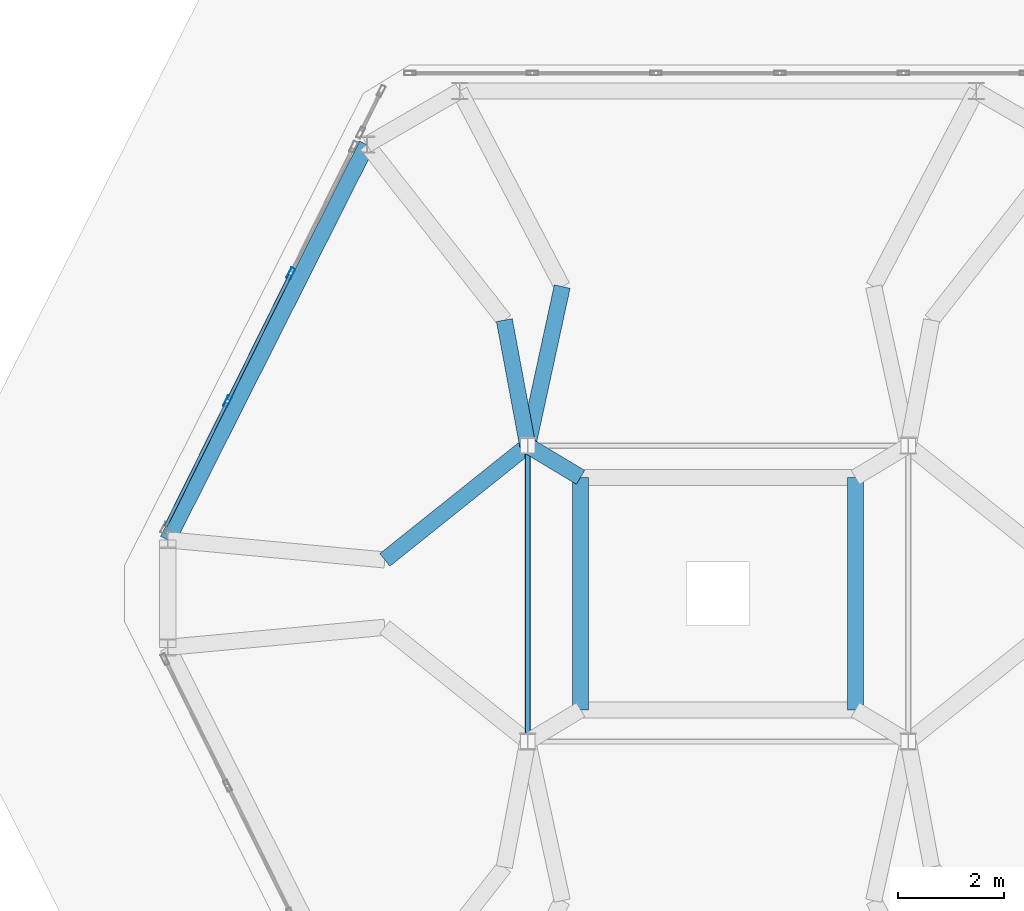
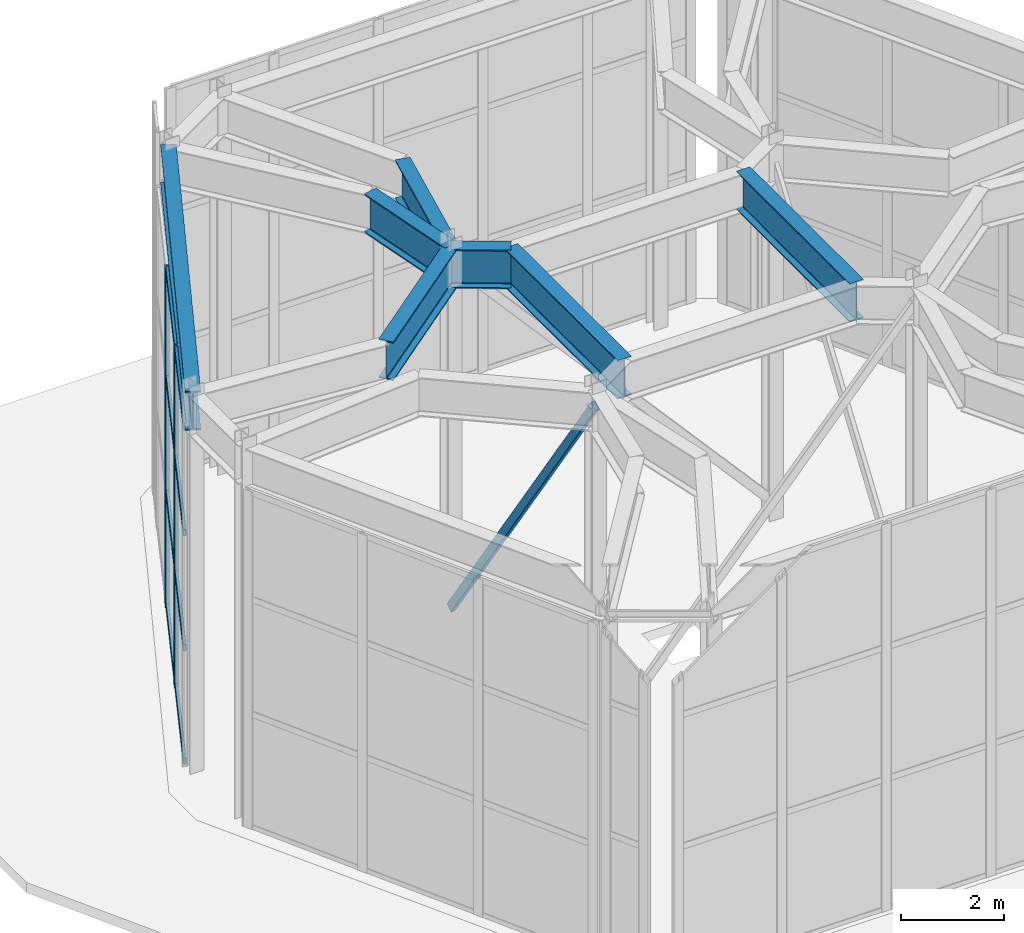
# One storey, part 4 of 9: 11 members, 7 beams, 1 element without a shape of its own.
"""IFC4 building model written with IfcOpenShell, lengths in metres."""

from ifc_helpers import new_model, si_unit, direction, frame, origin, origin_2d, place, context, subcontext, project, spatial, hollow_rectangle, i_section, extrude, material, layer, layer_set, material_profile, profile_set, type_object, element, aggregate, save


model = new_model("IFC4")

# Units and contexts
model_context = context("Model", 3, precision=1e-05, world=origin(), true_north=direction((0.0, 1.0)))
body_context = subcontext(model_context, "Body", "Model", "MODEL_VIEW")
ifc_project = project(units=[si_unit("LENGTHUNIT", "METRE"), si_unit("AREAUNIT", "SQUARE_METRE"), si_unit("VOLUMEUNIT", "CUBIC_METRE"), si_unit("PLANEANGLEUNIT", "RADIAN"), si_unit("MASSUNIT", "GRAM", prefix="KILO")], contexts=[model_context])

# Site, building, storey
site_placement = place(None, origin())
site = spatial("IfcSite", under=ifc_project, at=site_placement, CompositionType="ELEMENT")
building_placement = place(site_placement, origin())
building = spatial("IfcBuilding", under=site, at=building_placement, Name="Cinnabar Lancet Tower", CompositionType="ELEMENT")
storey_placement = place(building_placement, frame((0.0, 0.0, 323.85009765625)))
storey = spatial("IfcBuildingStorey", under=building, at=storey_placement, Name="L82", CompositionType="ELEMENT", Elevation=323.85009765625)

# Curtain wall, members
ifc_material_1 = material(Name="Thermally broken bronze-anodized aluminium and low-E glass", Category="aluminium")
ifc_layer = layer(ifc_material_1, 0.179931640625)
ifc_layer_set = layer_set([ifc_layer], Name="Thermally broken bronze-anodized aluminium and low-E glass")
curtain_wall_type = type_object("IfcCurtainWallType", Name="ENV-CW-SYS-06", PredefinedType="NOTDEFINED", material=ifc_layer_set)
curtain_wall_placement = place(storey_placement, origin())
curtain_wall = element("IfcCurtainWall", 1, at=curtain_wall_placement, inside=storey, type_object=curtain_wall_type, Name="L82 Faceted Lancet Crown Curtain Wall 15", PredefinedType="NOTDEFINED")
ifc_material_2 = material(Name="Anodized architectural aluminium 6063-T6", Category="aluminium")
ifc_material_profile_1 = material_profile(ifc_material_2, hollow_rectangle(XDim=0.0849609375, YDim=0.219970703125, WallThickness=0.0048828125, InnerFilletRadius=0.00244140625, OuterFilletRadius=0.007568359375, at=origin_2d()), Name="CW-MUL 220x85x5")
ifc_profile_set_1 = profile_set([ifc_material_profile_1], Name="Anodized architectural aluminium 6063-T6")
member_type_1 = type_object("IfcMemberType", Name="ENV-CW-MUL-220", PredefinedType="MULLION", material=ifc_profile_set_1)
member_1_placement = place(storey_placement, frame((24.3193359375, 31.858642578125, 0.0), z_axis=(0.0, 0.0, 1.0), x_axis=(0.896196734695, -0.443656863715, 0.0)))
member_1 = element("IfcMember", 2, at=member_1_placement, type_object=member_type_1, Name="CW-06 mullion 2", PredefinedType="MULLION", context=body_context, shape_type="SweptSolid", body=[
    extrude(hollow_rectangle(XDim=0.0849609375, YDim=0.219970703125, WallThickness=0.0048828125, InnerFilletRadius=0.00244140625, OuterFilletRadius=0.007568359375, at=origin_2d()), origin(), (0.0, 0.0, 1.0), 7.996826171875),
])
member_2_placement = place(storey_placement, frame((23.12060546875, 29.437255859375, 0.0), z_axis=(0.0, 0.0, 1.0), x_axis=(0.896196734695, -0.443656863715, 0.0)))
member_2 = element("IfcMember", 3, at=member_2_placement, type_object=member_type_1, Name="CW-06 mullion 3", PredefinedType="MULLION", context=body_context, shape_type="SweptSolid", body=[
    extrude(hollow_rectangle(XDim=0.0849609375, YDim=0.219970703125, WallThickness=0.0048828125, InnerFilletRadius=0.00244140625, OuterFilletRadius=0.007568359375, at=origin_2d()), origin(), (0.0, 0.0, 1.0), 7.996826171875),
])
ifc_material_3 = material(Name="Anodized architectural aluminium 6063-T6", Category="aluminium")
ifc_material_profile_2 = material_profile(ifc_material_3, hollow_rectangle(XDim=0.06494140625, YDim=0.14990234375, WallThickness=0.00390625, InnerFilletRadius=0.001953125, OuterFilletRadius=0.006103515625, at=origin_2d()), Name="CW-TRN 150x65x4")
ifc_profile_set_2 = profile_set([ifc_material_profile_2], Name="Anodized architectural aluminium 6063-T6")
member_type_2 = type_object("IfcMemberType", Name="ENV-CW-TRN-160", PredefinedType="USERDEFINED", material=ifc_profile_set_2)
member_3_placement = place(storey_placement, frame((24.305908203125, 31.831787109375, 0.02978515625), z_axis=(-0.443587297772, -0.89623116954, 0.0), x_axis=(0.89623116954, -0.443587297772, 0.0)))
member_3 = element("IfcMember", 4, at=member_3_placement, type_object=member_type_2, Name="CW-06 transom 2.1", ObjectType="TRANSOM", PredefinedType="USERDEFINED", context=body_context, shape_type="SweptSolid", body=[
    extrude(hollow_rectangle(XDim=0.06494140625, YDim=0.14990234375, WallThickness=0.00390625, InnerFilletRadius=0.001953125, OuterFilletRadius=0.006103515625, at=origin_2d()), origin(), (0.0, 0.0, 1.0), 2.641845703125),
])
member_4_placement = place(storey_placement, frame((24.305908203125, 31.831787109375, 2.718994140625), z_axis=(-0.443587297772, -0.89623116954, 0.0), x_axis=(0.89623116954, -0.443587297772, 0.0)))
member_4 = element("IfcMember", 5, at=member_4_placement, type_object=member_type_2, Name="CW-06 transom 2.2", ObjectType="TRANSOM", PredefinedType="USERDEFINED", context=body_context, shape_type="SweptSolid", body=[
    extrude(hollow_rectangle(XDim=0.06494140625, YDim=0.14990234375, WallThickness=0.00390625, InnerFilletRadius=0.001953125, OuterFilletRadius=0.006103515625, at=origin_2d()), origin(), (0.0, 0.0, 1.0), 2.641845703125),
])
member_5_placement = place(storey_placement, frame((24.305908203125, 31.831787109375, 5.43798828125), z_axis=(-0.443587297772, -0.89623116954, 0.0), x_axis=(0.89623116954, -0.443587297772, 0.0)))
member_5 = element("IfcMember", 6, at=member_5_placement, type_object=member_type_2, Name="CW-06 transom 2.3", ObjectType="TRANSOM", PredefinedType="USERDEFINED", context=body_context, shape_type="SweptSolid", body=[
    extrude(hollow_rectangle(XDim=0.06494140625, YDim=0.14990234375, WallThickness=0.00390625, InnerFilletRadius=0.001953125, OuterFilletRadius=0.006103515625, at=origin_2d()), origin(), (0.0, 0.0, 1.0), 2.641845703125),
])
member_6_placement = place(storey_placement, frame((24.305908203125, 31.831787109375, 7.966796875), z_axis=(-0.443587297772, -0.89623116954, 0.0), x_axis=(0.89623116954, -0.443587297772, 0.0)))
member_6 = element("IfcMember", 7, at=member_6_placement, type_object=member_type_2, Name="CW-06 transom 2.4", ObjectType="TRANSOM", PredefinedType="USERDEFINED", context=body_context, shape_type="SweptSolid", body=[
    extrude(hollow_rectangle(XDim=0.06494140625, YDim=0.14990234375, WallThickness=0.00390625, InnerFilletRadius=0.001953125, OuterFilletRadius=0.006103515625, at=origin_2d()), origin(), (0.0, 0.0, 1.0), 2.641845703125),
])
member_7_placement = place(storey_placement, frame((23.107421875, 29.410400390625, 0.02978515625), z_axis=(-0.443657814617, -0.896196263956, 0.0), x_axis=(0.896196263956, -0.443657814617, 0.0)))
member_7 = element("IfcMember", 8, at=member_7_placement, type_object=member_type_2, Name="CW-06 transom 3.1", ObjectType="TRANSOM", PredefinedType="USERDEFINED", context=body_context, shape_type="SweptSolid", body=[
    extrude(hollow_rectangle(XDim=0.06494140625, YDim=0.14990234375, WallThickness=0.00390625, InnerFilletRadius=0.001953125, OuterFilletRadius=0.006103515625, at=origin_2d()), origin(), (0.0, 0.0, 1.0), 2.611572265625),
])
member_8_placement = place(storey_placement, frame((23.107421875, 29.410400390625, 2.718994140625), z_axis=(-0.443657814617, -0.896196263956, 0.0), x_axis=(0.896196263956, -0.443657814617, 0.0)))
member_8 = element("IfcMember", 9, at=member_8_placement, type_object=member_type_2, Name="CW-06 transom 3.2", ObjectType="TRANSOM", PredefinedType="USERDEFINED", context=body_context, shape_type="SweptSolid", body=[
    extrude(hollow_rectangle(XDim=0.06494140625, YDim=0.14990234375, WallThickness=0.00390625, InnerFilletRadius=0.001953125, OuterFilletRadius=0.006103515625, at=origin_2d()), origin(), (0.0, 0.0, 1.0), 2.611572265625),
])
member_9_placement = place(storey_placement, frame((23.107421875, 29.410400390625, 5.43798828125), z_axis=(-0.443657814617, -0.896196263956, 0.0), x_axis=(0.896196263956, -0.443657814617, 0.0)))
member_9 = element("IfcMember", 10, at=member_9_placement, type_object=member_type_2, Name="CW-06 transom 3.3", ObjectType="TRANSOM", PredefinedType="USERDEFINED", context=body_context, shape_type="SweptSolid", body=[
    extrude(hollow_rectangle(XDim=0.06494140625, YDim=0.14990234375, WallThickness=0.00390625, InnerFilletRadius=0.001953125, OuterFilletRadius=0.006103515625, at=origin_2d()), origin(), (0.0, 0.0, 1.0), 2.611572265625),
])
member_10_placement = place(storey_placement, frame((23.107421875, 29.410400390625, 7.966796875), z_axis=(-0.443657814617, -0.896196263956, 0.0), x_axis=(0.896196263956, -0.443657814617, 0.0)))
member_10 = element("IfcMember", 11, at=member_10_placement, type_object=member_type_2, Name="CW-06 transom 3.4", ObjectType="TRANSOM", PredefinedType="USERDEFINED", context=body_context, shape_type="SweptSolid", body=[
    extrude(hollow_rectangle(XDim=0.06494140625, YDim=0.14990234375, WallThickness=0.00390625, InnerFilletRadius=0.001953125, OuterFilletRadius=0.006103515625, at=origin_2d()), origin(), (0.0, 0.0, 1.0), 2.611572265625),
])
aggregate(curtain_wall, [member_1, member_2, member_3, member_4, member_5, member_6, member_7, member_8, member_9, member_10])

# Beams
ifc_material_4 = material(Name="Structural steel S355", Category="steel")
ifc_material_profile_3 = material_profile(ifc_material_4, i_section(OverallWidth=0.305419921875, OverallDepth=0.91845703125, WebThickness=0.017333984375, FlangeThickness=0.02783203125, FilletRadius=0.01904296875, at=origin_2d()), Name="UKB 914x305x253")
ifc_profile_set_3 = profile_set([ifc_material_profile_3], Name="Structural steel S355")
beam_type = type_object("IfcBeamType", Name="STR-BM-UKB914-253", PredefinedType="BEAM", material=ifc_profile_set_3)
beam_1_placement = place(storey_placement, frame((25.757080078125, 34.2958984375, 8.4658203125), z_axis=(-0.449940191436, -0.893058690194, 0.0), x_axis=(0.893058690194, -0.449940191436, 0.0)))
element("IfcBeam", 12, at=beam_1_placement, inside=storey, type_object=beam_type, Name="L83 Setback Outer Ring Girder 9", PredefinedType="BEAM", context=body_context, shape_type="SweptSolid", body=[
    extrude(i_section(OverallWidth=0.305419921875, OverallDepth=0.91845703125, WebThickness=0.017333984375, FlangeThickness=0.02783203125, FilletRadius=0.01904296875, at=origin_2d()), origin(), (0.0, 0.0, 1.0), 8.37451171875),
])
beam_2_placement = place(storey_placement, frame((29.452880859375, 31.610107421875, 8.4658203125), z_axis=(-0.211959027606, -0.977278553237, 0.0), x_axis=(0.977278553237, -0.211959027606, 0.0)))
element("IfcBeam", 13, at=beam_2_placement, inside=storey, type_object=beam_type, Name="L83 Crown Setback Radial Girder 8", PredefinedType="BEAM", context=body_context, shape_type="SweptSolid", body=[
    extrude(i_section(OverallWidth=0.305419921875, OverallDepth=0.91845703125, WebThickness=0.017333984375, FlangeThickness=0.02783203125, FilletRadius=0.01904296875, at=origin_2d()), origin(), (0.0, 0.0, 1.0), 3.080078125),
])
beam_3_placement = place(storey_placement, frame((28.35791015625, 30.97412109375, 8.4658203125), z_axis=(0.18309198568, -0.983095786167, 0.0), x_axis=(0.983095786167, 0.18309198568, 0.0)))
element("IfcBeam", 14, at=beam_3_placement, inside=storey, type_object=beam_type, Name="L83 Crown Setback Radial Girder 9", PredefinedType="BEAM", context=body_context, shape_type="SweptSolid", body=[
    extrude(i_section(OverallWidth=0.305419921875, OverallDepth=0.91845703125, WebThickness=0.017333984375, FlangeThickness=0.02783203125, FilletRadius=0.01904296875, at=origin_2d()), origin(), (0.0, 0.0, 1.0), 2.414794921875),
])
beam_4_placement = place(storey_placement, frame((26.095947265625, 26.43701171875, 8.4658203125), z_axis=(0.780896322231, 0.624660655017, 0.0), x_axis=(-0.624660655017, 0.780896322231, 0.0)))
element("IfcBeam", 15, at=beam_4_placement, inside=storey, type_object=beam_type, Name="L83 Crown Setback Radial Girder 10", PredefinedType="BEAM", context=body_context, shape_type="SweptSolid", body=[
    extrude(i_section(OverallWidth=0.305419921875, OverallDepth=0.91845703125, WebThickness=0.017333984375, FlangeThickness=0.02783203125, FilletRadius=0.01904296875, at=origin_2d()), origin(), (0.0, 0.0, 1.0), 3.462890625),
])
beam_5_placement = place(storey_placement, frame((35.0, 23.60009765625, 8.4658203125), z_axis=(0.0, 1.0, 0.0), x_axis=(-1.0, 0.0, 0.0)))
element("IfcBeam", 16, at=beam_5_placement, inside=storey, type_object=beam_type, Name="L83 Crown Inner Ring Tie 2", PredefinedType="BEAM", context=body_context, shape_type="SweptSolid", body=[
    extrude(i_section(OverallWidth=0.305419921875, OverallDepth=0.91845703125, WebThickness=0.017333984375, FlangeThickness=0.02783203125, FilletRadius=0.01904296875, at=origin_2d()), origin(), (0.0, 0.0, 1.0), 4.39990234375),
])
beam_6_placement = place(storey_placement, frame((28.800048828125, 28.60009765625, 8.4658203125), z_axis=(0.857455981178, -0.514557324642, 0.0), x_axis=(0.514557324642, 0.857455981178, 0.0)))
element("IfcBeam", 17, at=beam_6_placement, inside=storey, type_object=beam_type, Name="L83 Crown Inner Ring Transfer 4", PredefinedType="BEAM", context=body_context, shape_type="SweptSolid", body=[
    extrude(i_section(OverallWidth=0.305419921875, OverallDepth=0.91845703125, WebThickness=0.017333984375, FlangeThickness=0.02783203125, FilletRadius=0.01904296875, at=origin_2d()), origin(), (0.0, 0.0, 1.0), 1.166259765625),
])
beam_7_placement = place(storey_placement, frame((29.800048828125, 28.0, 8.4658203125), z_axis=(0.0, -1.0, 0.0), x_axis=(1.0, 0.0, 0.0)))
element("IfcBeam", 18, at=beam_7_placement, inside=storey, type_object=beam_type, Name="L83 Crown Inner Ring Tie 4", PredefinedType="BEAM", context=body_context, shape_type="SweptSolid", body=[
    extrude(i_section(OverallWidth=0.305419921875, OverallDepth=0.91845703125, WebThickness=0.017333984375, FlangeThickness=0.02783203125, FilletRadius=0.01904296875, at=origin_2d()), origin(), (0.0, 0.0, 1.0), 4.39990234375),
])

# Member
ifc_material_5 = material(Name="Structural steel S460", Category="steel")
ifc_material_profile_4 = material_profile(ifc_material_5, hollow_rectangle(XDim=0.10009765625, YDim=0.199951171875, WallThickness=0.008056640625, InnerFilletRadius=0.00390625, OuterFilletRadius=0.011962890625, at=origin_2d()), Name="RHS 200x100x8")
ifc_profile_set_4 = profile_set([ifc_material_profile_4], Name="Structural steel S460")
member_type_3 = type_object("IfcMemberType", Name="STR-MEM-CRN-BRC200", PredefinedType="BRACE", material=ifc_profile_set_4)
member_11_placement = place(storey_placement, frame((28.800048828125, 28.60009765625, 0.349853515625), z_axis=(0.0, -0.565140464089, 0.824994700498), x_axis=(1.0, 0.0, 0.0)))
element("IfcMember", 19, at=member_11_placement, inside=storey, type_object=member_type_3, Name="L82 Crown Lancet Core Brace 4", PredefinedType="BRACE", context=body_context, shape_type="SweptSolid", body=[
    extrude(hollow_rectangle(XDim=0.10009765625, YDim=0.199951171875, WallThickness=0.008056640625, InnerFilletRadius=0.00390625, OuterFilletRadius=0.011962890625, at=origin_2d()), origin(), (0.0, 0.0, 1.0), 9.9091796875),
])

save(model, "model.ifc")
